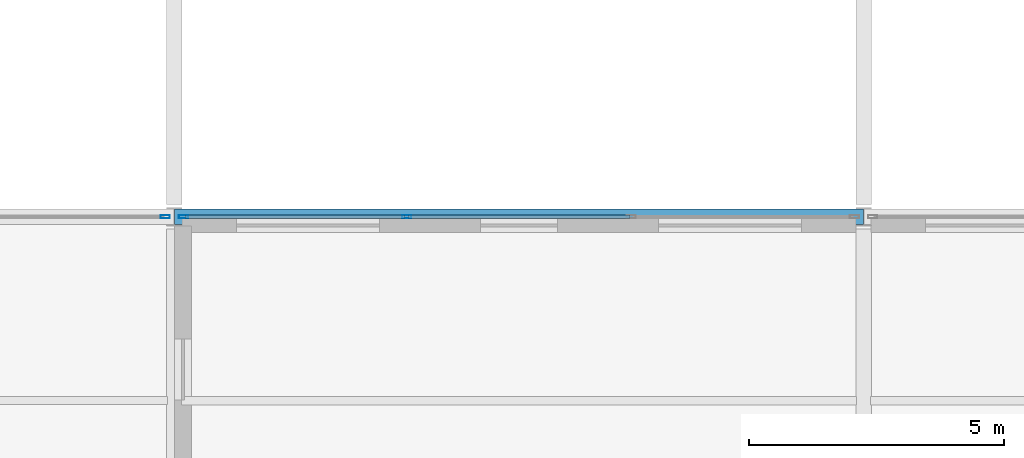
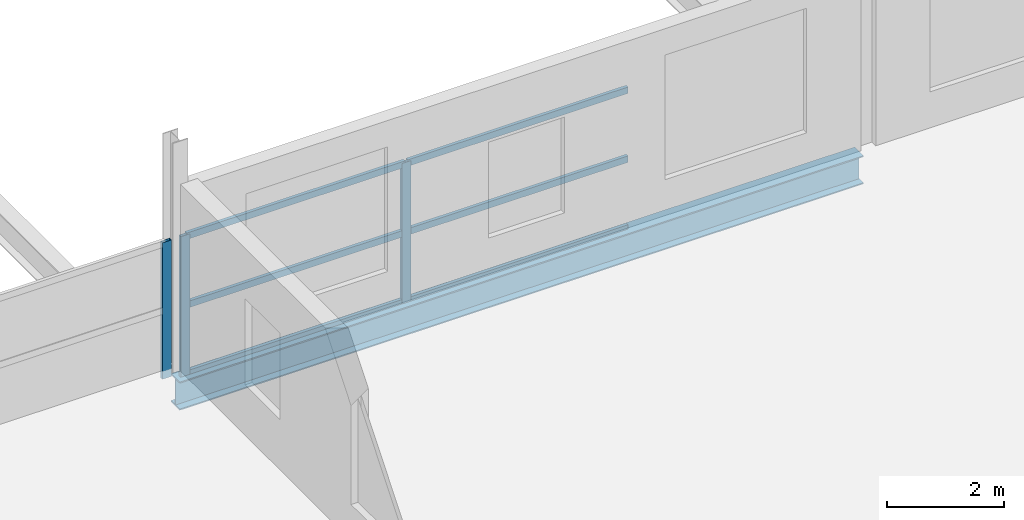
# One storey, part 87 of 134: 9 members, 1 beam, 2 elements without a shape of their own.
"""IFC4 building model written with IfcOpenShell, lengths in metres."""

from ifc_helpers import new_model, si_unit, direction, frame, origin, origin_2d, place, context, subcontext, project, spatial, hollow_rectangle, i_section, extrude, material, layer, layer_set, material_profile, profile_set, type_object, element, aggregate, save


model = new_model("IFC4")

# Units and contexts
model_context = context("Model", 3, precision=1e-05, world=origin(), true_north=direction((0.0, 1.0)))
body_context = subcontext(model_context, "Body", "Model", "MODEL_VIEW")
ifc_project = project(units=[si_unit("LENGTHUNIT", "METRE"), si_unit("AREAUNIT", "SQUARE_METRE"), si_unit("VOLUMEUNIT", "CUBIC_METRE"), si_unit("PLANEANGLEUNIT", "RADIAN"), si_unit("MASSUNIT", "GRAM", prefix="KILO")], contexts=[model_context])

# Site, building, storey
site_placement = place(None, origin())
site = spatial("IfcSite", under=ifc_project, at=site_placement, CompositionType="ELEMENT")
building_placement = place(site_placement, origin())
building = spatial("IfcBuilding", under=site, at=building_placement, Name="Tamarisk Ironworks Central Station", CompositionType="ELEMENT")
storey_placement = place(building_placement, frame((0.0, 0.0, 12.60009765625)))
storey = spatial("IfcBuildingStorey", under=building, at=storey_placement, Name="L02", CompositionType="ELEMENT", Elevation=12.60009765625)

# Beam
ifc_material_1 = material(Name="Structural steel S355J2", Category="steel")
ifc_material_profile_1 = material_profile(ifc_material_1, i_section(OverallWidth=0.300048828125, OverallDepth=0.590087890625, WebThickness=0.012939453125, FlangeThickness=0.02490234375, at=origin_2d()), Name="HEA 600")
ifc_profile_set_1 = profile_set([ifc_material_profile_1], Name="Structural steel S355J2")
beam_type = type_object("IfcBeamType", Name="BM-G03", PredefinedType="BEAM", material=ifc_profile_set_1)
beam_placement = place(storey_placement, frame((153.00390625, 21.60009765625, -0.545166015625), z_axis=(1.0, 0.0, 0.0), x_axis=(0.0, 1.0, 0.0)))
element("IfcBeam", 1, at=beam_placement, inside=storey, type_object=beam_type, Name="L02 primary girder X-0317", PredefinedType="BEAM", context=body_context, shape_type="SweptSolid", body=[
    extrude(i_section(OverallWidth=0.300048828125, OverallDepth=0.590087890625, WebThickness=0.012939453125, FlangeThickness=0.02490234375, at=origin_2d()), origin(), (0.0, 0.0, 1.0), 13.4921875),
])

# Curtain wall, member
ifc_material_2 = material(Name="Anodized aluminium alloy 6063-T6", Category="aluminium")
ifc_layer = layer(ifc_material_2, 0.179931640625)
ifc_layer_set = layer_set([ifc_layer], Name="Anodized aluminium alloy 6063-T6")
curtain_wall_type = type_object("IfcCurtainWallType", Name="CW-07", PredefinedType="USERDEFINED", material=ifc_layer_set)
curtain_wall_1_placement = place(storey_placement, origin())
curtain_wall_1 = element("IfcCurtainWall", 2, at=curtain_wall_1_placement, inside=storey, type_object=curtain_wall_type, Name="Train shed ES clerestory curtain wall 140", ObjectType="GLAZED CURTAIN WALL", PredefinedType="USERDEFINED")
ifc_material_profile_2 = material_profile(ifc_material_2, hollow_rectangle(XDim=0.06494140625, YDim=0.179931640625, WallThickness=0.00390625, at=origin_2d()), Name="ALUM 180x65")
ifc_profile_set_2 = profile_set([ifc_material_profile_2], Name="Anodized aluminium alloy 6063-T6")
member_type_1 = type_object("IfcMemberType", Name="CWM-02", PredefinedType="MULLION", material=ifc_profile_set_2)
member_1_placement = place(storey_placement, frame((152.819580078125, 21.60009765625, -0.170166015625), z_axis=(0.0, 0.0, 1.0), x_axis=(0.0, 1.0, 0.0)))
member_1 = element("IfcMember", 3, at=member_1_placement, type_object=member_type_1, Name="CW07 mullion 4", PredefinedType="MULLION", context=body_context, shape_type="SweptSolid", body=[
    extrude(hollow_rectangle(XDim=0.06494140625, YDim=0.179931640625, WallThickness=0.00390625, at=origin_2d()), origin(), (0.0, 0.0, 1.0), 2.85009765625),
])
aggregate(curtain_wall_1, [member_1])

# Curtain wall, members
curtain_wall_2_placement = place(storey_placement, origin())
curtain_wall_2 = element("IfcCurtainWall", 4, at=curtain_wall_2_placement, inside=storey, type_object=curtain_wall_type, Name="Train shed ES clerestory curtain wall 153", ObjectType="GLAZED CURTAIN WALL", PredefinedType="USERDEFINED")
member_2_placement = place(storey_placement, frame((153.180419921875, 21.60009765625, -0.260009765625), z_axis=(0.0, 0.0, 1.0), x_axis=(0.0, 1.0, 0.0)))
member_2 = element("IfcMember", 5, at=member_2_placement, type_object=member_type_1, Name="CW07 mullion 1", PredefinedType="MULLION", context=body_context, shape_type="SweptSolid", body=[
    extrude(hollow_rectangle(XDim=0.06494140625, YDim=0.179931640625, WallThickness=0.00390625, at=origin_2d()), origin(), (0.0, 0.0, 1.0), 2.93994140625),
])
member_3_placement = place(storey_placement, frame((157.54931640625, 21.60009765625, -0.260009765625), z_axis=(0.0, 0.0, 1.0), x_axis=(0.0, 1.0, 0.0)))
member_3 = element("IfcMember", 6, at=member_3_placement, type_object=member_type_1, Name="CW07 mullion 2", PredefinedType="MULLION", context=body_context, shape_type="SweptSolid", body=[
    extrude(hollow_rectangle(XDim=0.06494140625, YDim=0.179931640625, WallThickness=0.00390625, at=origin_2d()), origin(), (0.0, 0.0, 1.0), 2.93994140625),
])
ifc_material_profile_3 = material_profile(ifc_material_2, hollow_rectangle(XDim=0.06494140625, YDim=0.135009765625, WallThickness=0.00341796875, at=origin_2d()), Name="ALUM 135x65")
ifc_profile_set_3 = profile_set([ifc_material_profile_3], Name="Anodized aluminium alloy 6063-T6")
member_type_2 = type_object("IfcMemberType", Name="CWT-02", PredefinedType="USERDEFINED", material=ifc_profile_set_3)
member_4_placement = place(storey_placement, frame((153.208984375, 21.60009765625, -0.2275390625), z_axis=(1.0, 0.0, 0.0), x_axis=(0.0, 1.0, 0.0)))
member_4 = element("IfcMember", 7, at=member_4_placement, type_object=member_type_2, Name="CW07 transom 1.1", ObjectType="TRANSOM", PredefinedType="USERDEFINED", context=body_context, shape_type="SweptSolid", body=[
    extrude(hollow_rectangle(XDim=0.06494140625, YDim=0.135009765625, WallThickness=0.00341796875, at=origin_2d()), origin(), (0.0, 0.0, 1.0), 4.311767578125),
])
member_5_placement = place(storey_placement, frame((153.208984375, 21.60009765625, 1.2099609375), z_axis=(1.0, 0.0, 0.0), x_axis=(0.0, 1.0, 0.0)))
member_5 = element("IfcMember", 8, at=member_5_placement, type_object=member_type_2, Name="CW07 transom 1.2", ObjectType="TRANSOM", PredefinedType="USERDEFINED", context=body_context, shape_type="SweptSolid", body=[
    extrude(hollow_rectangle(XDim=0.06494140625, YDim=0.135009765625, WallThickness=0.00341796875, at=origin_2d()), origin(), (0.0, 0.0, 1.0), 4.311767578125),
])
member_6_placement = place(storey_placement, frame((153.208984375, 21.60009765625, 2.6474609375), z_axis=(1.0, 0.0, 0.0), x_axis=(0.0, 1.0, 0.0)))
member_6 = element("IfcMember", 9, at=member_6_placement, type_object=member_type_2, Name="CW07 transom 1.3", ObjectType="TRANSOM", PredefinedType="USERDEFINED", context=body_context, shape_type="SweptSolid", body=[
    extrude(hollow_rectangle(XDim=0.06494140625, YDim=0.135009765625, WallThickness=0.00341796875, at=origin_2d()), origin(), (0.0, 0.0, 1.0), 4.311767578125),
])
member_7_placement = place(storey_placement, frame((157.577880859375, 21.60009765625, -0.2275390625), z_axis=(1.0, 0.0, 0.0), x_axis=(0.0, 1.0, 0.0)))
member_7 = element("IfcMember", 10, at=member_7_placement, type_object=member_type_2, Name="CW07 transom 2.1", ObjectType="TRANSOM", PredefinedType="USERDEFINED", context=body_context, shape_type="SweptSolid", body=[
    extrude(hollow_rectangle(XDim=0.06494140625, YDim=0.135009765625, WallThickness=0.00341796875, at=origin_2d()), origin(), (0.0, 0.0, 1.0), 4.34423828125),
])
member_8_placement = place(storey_placement, frame((157.577880859375, 21.60009765625, 1.2099609375), z_axis=(1.0, 0.0, 0.0), x_axis=(0.0, 1.0, 0.0)))
member_8 = element("IfcMember", 11, at=member_8_placement, type_object=member_type_2, Name="CW07 transom 2.2", ObjectType="TRANSOM", PredefinedType="USERDEFINED", context=body_context, shape_type="SweptSolid", body=[
    extrude(hollow_rectangle(XDim=0.06494140625, YDim=0.135009765625, WallThickness=0.00341796875, at=origin_2d()), origin(), (0.0, 0.0, 1.0), 4.34423828125),
])
member_9_placement = place(storey_placement, frame((157.577880859375, 21.60009765625, 2.6474609375), z_axis=(1.0, 0.0, 0.0), x_axis=(0.0, 1.0, 0.0)))
member_9 = element("IfcMember", 12, at=member_9_placement, type_object=member_type_2, Name="CW07 transom 2.3", ObjectType="TRANSOM", PredefinedType="USERDEFINED", context=body_context, shape_type="SweptSolid", body=[
    extrude(hollow_rectangle(XDim=0.06494140625, YDim=0.135009765625, WallThickness=0.00341796875, at=origin_2d()), origin(), (0.0, 0.0, 1.0), 4.34423828125),
])
aggregate(curtain_wall_2, [member_2, member_3, member_4, member_5, member_6, member_7, member_8, member_9])

save(model, "model.ifc")
